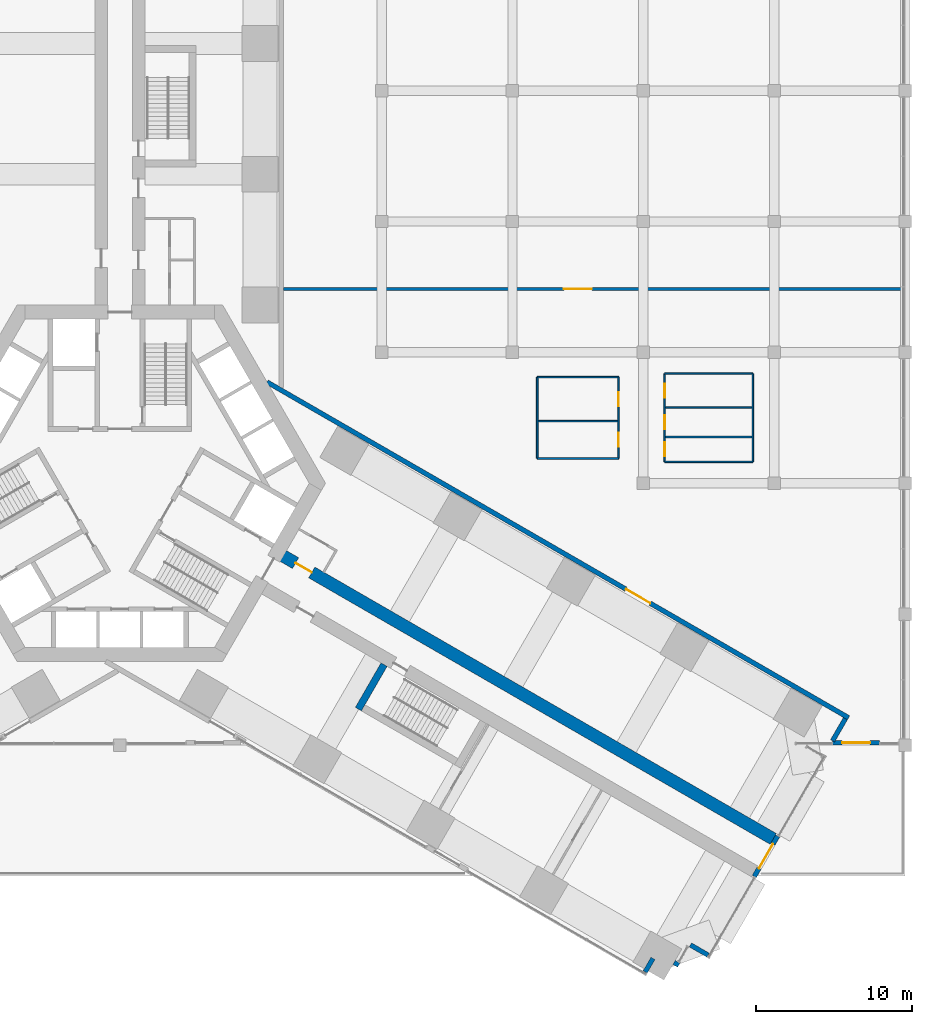
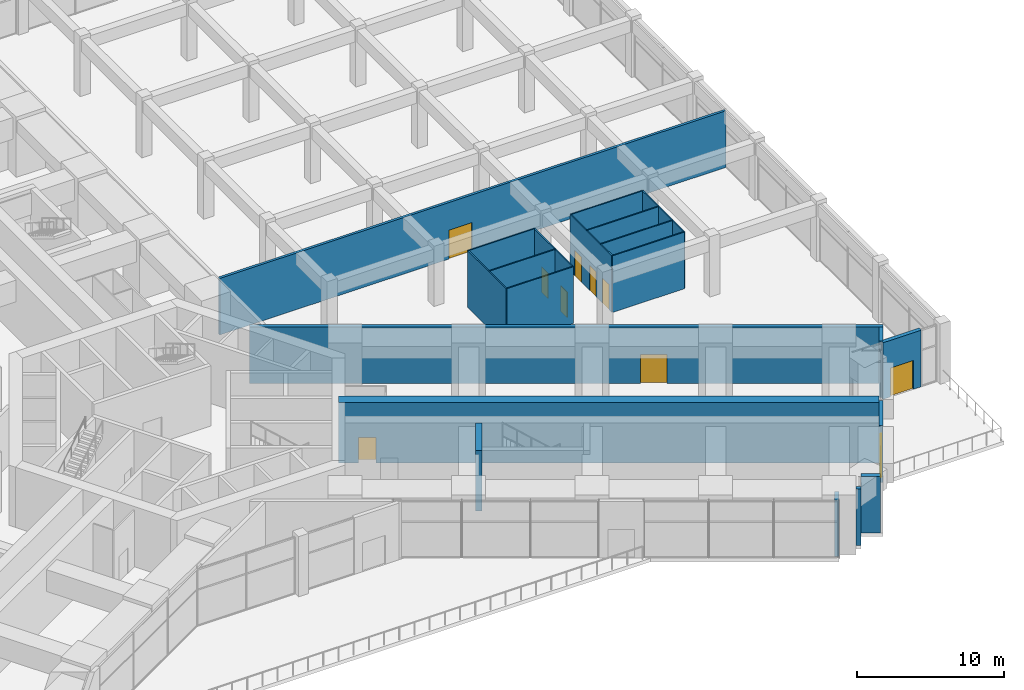
# One storey, part 31 of 34: 21 walls, 10 doors, 10 openings.
"""IFC4 building model written with IfcOpenShell, lengths in metres."""

from ifc_helpers import new_model, si_unit, direction, frame, frame_2d, origin, place, context, subcontext, project, spatial, rectangle, extrude, material, layer, layer_set, type_object, element, fill, save


model = new_model("IFC4")

# Units and contexts
model_context = context("Model", 3, precision=1e-05, world=origin(), true_north=direction((0.0, 1.0)))
body_context = subcontext(model_context, "Body", "Model", "MODEL_VIEW")
ifc_project = project(units=[si_unit("LENGTHUNIT", "METRE"), si_unit("AREAUNIT", "SQUARE_METRE"), si_unit("VOLUMEUNIT", "CUBIC_METRE"), si_unit("PLANEANGLEUNIT", "RADIAN"), si_unit("MASSUNIT", "GRAM", prefix="KILO")], contexts=[model_context])

# Site, building, storey
site_placement = place(None, origin())
site = spatial("IfcSite", under=ifc_project, at=site_placement, CompositionType="ELEMENT")
building_placement = place(site_placement, origin())
building = spatial("IfcBuilding", under=site, at=building_placement, Name="Impinga Residences", CompositionType="ELEMENT")
storey_placement = place(building_placement, frame((0.0, 0.0, 16.0)))
storey = spatial("IfcBuildingStorey", under=building, at=storey_placement, Name="L03", CompositionType="ELEMENT", Elevation=16.0)

# Wall, opening, door
ifc_material_1 = material(Name="Concrete C70/85", Category="concrete")
ifc_layer_1 = layer(ifc_material_1, 0.800048828125)
ifc_layer_set_1 = layer_set([ifc_layer_1], Name="Concrete C70/85")
wall_type_1 = type_object("IfcWallType", Name="BW0 corridor buttress wall, B3 to L04 800", PredefinedType="SHEAR", material=ifc_layer_set_1)
wall_1_placement = place(storey_placement, frame((10.1103515625, -4.451416015625, 0.0), z_axis=(0.0, 0.0, 1.0), x_axis=(0.866025284237, -0.500000207062, 0.0)))
wall_1 = element("IfcWall", 1, at=wall_1_placement, inside=storey, type_object=wall_type_1, Name="Corridor wall BW0 EC L03", PredefinedType="SHEAR", context=body_context, shape_type="SweptSolid", body=[
    extrude(rectangle(XDim=36.75, YDim=0.800048828125, at=frame_2d((18.375, 0.0))), origin(), (0.0, 0.0, 1.0), 5.0),
])
opening_1_placement = place(wall_1_placement, frame((1.35009765625, 0.0, 0.0)))
opening_1 = element("IfcOpeningElement", 2, at=opening_1_placement, cuts=wall_1, Name="Opening D3", PredefinedType="OPENING", context=body_context, shape_type="SweptSolid", body=[
    extrude(rectangle(XDim=1.199951171875, YDim=2.10009765625, at=frame_2d((0.60009765625, 1.050048828125))), frame((0.0, 0.409912109375, 0.0), z_axis=(0.0, -1.0, 0.0), x_axis=(1.0, 0.0, 0.0)), (0.0, 0.0, 1.0), 0.820068359375),
])
ifc_material_2 = material(Name="Timber door set", Category="wood")
door_type_1 = type_object("IfcDoorType", Name="D3 room door, leaf and a half 1200x2100", OperationType="DOUBLE_SWING_LEFT", PredefinedType="DOOR", material=ifc_material_2)
door_1_placement = place(opening_1_placement, origin())
door_1 = element("IfcDoor", 3, at=door_1_placement, inside=storey, type_object=door_type_1, Name="Store lobby door L03-EA1", OperationType="DOUBLE_SWING_LEFT", OverallHeight=2.10009765625, OverallWidth=1.199951171875, PredefinedType="DOOR", context=body_context, shape_type="SweptSolid", body=[
    extrude(rectangle(XDim=1.199951171875, YDim=2.10009765625, at=frame_2d((0.60009765625, 1.050048828125))), frame((0.0, 0.02490234375, 0.0), z_axis=(0.0, -1.0, 0.0), x_axis=(1.0, 0.0, 0.0)), (0.0, 0.0, 1.0), 0.050048828125),
])
fill(opening_1, door_1)

ifc_material_3 = material(Name="Stone facing on blockwork", Category="masonry")
ifc_layer_2 = layer(ifc_material_3, 0.300048828125)
ifc_layer_set_2 = layer_set([ifc_layer_2], Name="EW2 external wall, stone facing on blockwork 300")
wall_type_2 = type_object("IfcWallType", Name="EW2 external wall, stone facing on blockwork 300", PredefinedType="SOLIDWALL", material=ifc_layer_set_2)
wall_2_placement = place(storey_placement, frame((48.749267578125, -16.64990234375, 0.0), z_axis=(0.0, 0.0, 1.0), x_axis=(-1.0, 0.0, 0.0)))
wall_2 = element("IfcWall", 4, at=wall_2_placement, inside=storey, type_object=wall_type_2, Name="External wall EW2 L03", PredefinedType="SOLIDWALL", context=body_context, shape_type="SweptSolid", body=[
    extrude(rectangle(XDim=3.0, YDim=0.300048828125, at=frame_2d((1.5, 0.0))), origin(), (0.0, 0.0, 1.0), 4.699951171875),
])
opening_2_placement = place(wall_2_placement, frame((0.60009765625, 0.0, 0.0)))
opening_2 = element("IfcOpeningElement", 5, at=opening_2_placement, cuts=wall_2, Name="Opening TD2", PredefinedType="OPENING", context=body_context, shape_type="SweptSolid", body=[
    extrude(rectangle(XDim=1.800048828125, YDim=2.39990234375, at=frame_2d((0.89990234375, 1.199951171875))), frame((0.0, 0.159912109375, 0.0), z_axis=(0.0, -1.0, 0.0), x_axis=(1.0, 0.0, 0.0)), (0.0, 0.0, 1.0), 0.320068359375),
])
ifc_material_4 = material(Name="Glazed aluminium door", Category="aluminium")
door_type_2 = type_object("IfcDoorType", Name="TD2 terrace door pair 1800x2400", OperationType="DOUBLE_DOOR_SINGLE_SWING", PredefinedType="DOOR", material=ifc_material_4)
door_2_placement = place(opening_2_placement, origin())
door_2 = element("IfcDoor", 6, at=door_2_placement, inside=storey, type_object=door_type_2, Name="Terrace doors L03", OperationType="DOUBLE_DOOR_SINGLE_SWING", OverallHeight=2.39990234375, OverallWidth=1.800048828125, PredefinedType="DOOR", context=body_context, shape_type="SweptSolid", body=[
    extrude(rectangle(XDim=1.800048828125, YDim=2.39990234375, at=frame_2d((0.89990234375, 1.199951171875))), frame((0.0, 0.02490234375, 0.0), z_axis=(0.0, -1.0, 0.0), x_axis=(1.0, 0.0, 0.0)), (0.0, 0.0, 1.0), 0.050048828125),
])
fill(opening_2, door_2)

wall_3_placement = place(storey_placement, frame((42.216552734375, -22.641845703125, 0.0), z_axis=(0.0, 0.0, 1.0), x_axis=(-0.50002537861, -0.866010750942, 0.0)))
wall_3 = element("IfcWall", 7, at=wall_3_placement, inside=storey, type_object=wall_type_2, Name="External wall EW2 L03", PredefinedType="SOLIDWALL", context=body_context, shape_type="SweptSolid", body=[
    extrude(rectangle(XDim=2.999755859375, YDim=0.300048828125, at=frame_2d((1.5, 0.0))), origin(), (0.0, 0.0, 1.0), 4.699951171875),
])
opening_3_placement = place(wall_3_placement, frame((0.60009765625, 0.0, 0.0)))
opening_3 = element("IfcOpeningElement", 8, at=opening_3_placement, cuts=wall_3, Name="Opening TD2", PredefinedType="OPENING", context=body_context, shape_type="SweptSolid", body=[
    extrude(rectangle(XDim=1.800048828125, YDim=2.39990234375, at=frame_2d((0.89990234375, 1.199951171875))), frame((0.0, 0.159912109375, 0.0), z_axis=(0.0, -1.0, 0.0), x_axis=(1.0, 0.0, 0.0)), (0.0, 0.0, 1.0), 0.320068359375),
])
door_3_placement = place(opening_3_placement, origin())
door_3 = element("IfcDoor", 9, at=door_3_placement, inside=storey, type_object=door_type_2, Name="Terrace doors L03", OperationType="DOUBLE_DOOR_SINGLE_SWING", OverallHeight=2.39990234375, OverallWidth=1.800048828125, PredefinedType="DOOR", context=body_context, shape_type="SweptSolid", body=[
    extrude(rectangle(XDim=1.800048828125, YDim=2.39990234375, at=frame_2d((0.89990234375, 1.199951171875))), frame((0.0, 0.02490234375, 0.0), z_axis=(0.0, -1.0, 0.0), x_axis=(1.0, 0.0, 0.0)), (0.0, 0.0, 1.0), 0.050048828125),
])
fill(opening_3, door_3)

# Walls
wall_4_placement = place(storey_placement, frame((37.752685546875, -30.283447265625, 0.0), z_axis=(0.0, 0.0, 1.0), x_axis=(-0.866101796549, 0.4998676605, 0.0)))
element("IfcWall", 10, at=wall_4_placement, inside=storey, type_object=wall_type_2, Name="External wall EW2 L03", PredefinedType="SOLIDWALL", context=body_context, shape_type="SweptSolid", body=[
    extrude(rectangle(XDim=1.309814453125, YDim=0.300048828125, at=frame_2d((0.65478515625, 0.0))), origin(), (0.0, 0.0, 1.0), 4.699951171875),
])
wall_5_placement = place(storey_placement, frame((35.87255859375, -30.93017578125, 0.0), z_axis=(0.0, 0.0, 1.0), x_axis=(-0.865939549016, 0.500148675346, 0.0)))
element("IfcWall", 11, at=wall_5_placement, inside=storey, type_object=wall_type_2, Name="External wall EW2 L03", PredefinedType="SOLIDWALL", context=body_context, shape_type="SweptSolid", body=[
    extrude(rectangle(XDim=0.34716796875, YDim=0.300048828125, at=frame_2d((0.173583984375, 0.0))), origin(), (0.0, 0.0, 1.0), 4.699951171875),
])
wall_6_placement = place(storey_placement, frame((34.218505859375, -30.494873046875, 0.0), z_axis=(0.0, 0.0, 1.0), x_axis=(-0.499953773667, -0.866052090925, 0.0)))
element("IfcWall", 12, at=wall_6_placement, inside=storey, type_object=wall_type_2, Name="External wall EW2 L03", PredefinedType="SOLIDWALL", context=body_context, shape_type="SweptSolid", body=[
    extrude(rectangle(XDim=1.0048828125, YDim=0.300048828125, at=frame_2d((0.50244140625, 0.0))), origin(), (0.0, 0.0, 1.0), 4.699951171875),
])
ifc_material_5 = material(Name="Gypsum board on steel studs", Category="steel")
ifc_layer_3 = layer(ifc_material_5, 0.10009765625)
ifc_layer_set_3 = layer_set([ifc_layer_3], Name="Gypsum board on steel studs")
wall_type_3 = type_object("IfcWallType", Name="IP1 partition 100", PredefinedType="PARTITIONING", material=ifc_layer_set_3)
for number, where, z_axis, x_axis, name in (
    (13, (34.969970703125, 1.3701171875, 0.0), (0.0, 0.0, 1.0), (1.0, 0.0, 0.0), "Partition L03:REG:NE:BLKS"),
    (14, (40.6298828125, 1.3701171875, 0.0), (0.0, 0.0, 1.0), (0.0, 1.0, 0.0), "Partition L03:REG:NE:BLKE"),
    (15, (40.6298828125, 7.030029296875, 0.0), (0.0, 0.0, 1.0), (-1.0, 0.0, 0.0), "Partition L03:REG:NE:BLKN"),
):
    element("IfcWall", number, at=place(storey_placement, frame(where, z_axis=z_axis, x_axis=x_axis)), inside=storey, type_object=wall_type_3, Name=name, PredefinedType="PARTITIONING", context=body_context, shape_type="SweptSolid", body=[
        extrude(rectangle(XDim=5.659912109375, YDim=0.10009765625, at=frame_2d((2.830078125, 0.0))), origin(), (0.0, 0.0, 1.0), 4.699951171875),
    ])

# Wall, openings, doors
wall_7_placement = place(storey_placement, frame((34.969970703125, 7.030029296875, 0.0), z_axis=(0.0, 0.0, 1.0), x_axis=(0.0, -1.0, 0.0)))
wall_7 = element("IfcWall", 16, at=wall_7_placement, inside=storey, type_object=wall_type_3, Name="Partition L03:REG:NE:BLKW", PredefinedType="PARTITIONING", context=body_context, shape_type="SweptSolid", body=[
    extrude(rectangle(XDim=5.659912109375, YDim=0.10009765625, at=frame_2d((2.830078125, 0.0))), origin(), (0.0, 0.0, 1.0), 4.699951171875),
])
opening_4_placement = place(wall_7_placement, frame((4.41064453125, 0.0, 0.0)))
opening_4 = element("IfcOpeningElement", 17, at=opening_4_placement, cuts=wall_7, Name="Opening D2", PredefinedType="OPENING", context=body_context, shape_type="SweptSolid", body=[
    extrude(rectangle(XDim=0.89990234375, YDim=2.10009765625, at=frame_2d((0.449951171875, 1.050048828125))), frame((0.0, 0.06005859375, 0.0), z_axis=(0.0, -1.0, 0.0), x_axis=(1.0, 0.0, 0.0)), (0.0, 0.0, 1.0), 0.1201171875),
])
opening_5_placement = place(wall_7_placement, frame((2.667724609375, 0.0, 0.0)))
opening_5 = element("IfcOpeningElement", 18, at=opening_5_placement, cuts=wall_7, Name="Opening D2", PredefinedType="OPENING", context=body_context, shape_type="SweptSolid", body=[
    extrude(rectangle(XDim=0.89990234375, YDim=2.10009765625, at=frame_2d((0.449951171875, 1.050048828125))), frame((0.0, 0.06005859375, 0.0), z_axis=(0.0, -1.0, 0.0), x_axis=(1.0, 0.0, 0.0)), (0.0, 0.0, 1.0), 0.1201171875),
])
opening_6_placement = place(wall_7_placement, frame((0.63720703125, 0.0, 0.0)))
opening_6 = element("IfcOpeningElement", 19, at=opening_6_placement, cuts=wall_7, Name="Opening D2", PredefinedType="OPENING", context=body_context, shape_type="SweptSolid", body=[
    extrude(rectangle(XDim=0.89990234375, YDim=2.10009765625, at=frame_2d((0.449951171875, 1.050048828125))), frame((0.0, 0.06005859375, 0.0), z_axis=(0.0, -1.0, 0.0), x_axis=(1.0, 0.0, 0.0)), (0.0, 0.0, 1.0), 0.1201171875),
])
door_type_3 = type_object("IfcDoorType", Name="D2 internal door 900x2100", OperationType="SINGLE_SWING_LEFT", PredefinedType="DOOR", material=ifc_material_2)
door_4_placement = place(opening_4_placement, origin())
door_4 = element("IfcDoor", 20, at=door_4_placement, inside=storey, type_object=door_type_3, Name="Chair and table store door", OperationType="SINGLE_SWING_RIGHT", OverallHeight=2.10009765625, OverallWidth=0.89990234375, PredefinedType="DOOR", context=body_context, shape_type="SweptSolid", body=[
    extrude(rectangle(XDim=0.89990234375, YDim=2.10009765625, at=frame_2d((0.449951171875, 1.050048828125))), frame((0.0, 0.02490234375, 0.0), z_axis=(0.0, -1.0, 0.0), x_axis=(1.0, 0.0, 0.0)), (0.0, 0.0, 1.0), 0.050048828125),
])
fill(opening_4, door_4)
door_5_placement = place(opening_5_placement, origin())
door_5 = element("IfcDoor", 21, at=door_5_placement, inside=storey, type_object=door_type_3, Name="Servery door", OperationType="SINGLE_SWING_RIGHT", OverallHeight=2.10009765625, OverallWidth=0.89990234375, PredefinedType="DOOR", context=body_context, shape_type="SweptSolid", body=[
    extrude(rectangle(XDim=0.89990234375, YDim=2.10009765625, at=frame_2d((0.449951171875, 1.050048828125))), frame((0.0, 0.02490234375, 0.0), z_axis=(0.0, -1.0, 0.0), x_axis=(1.0, 0.0, 0.0)), (0.0, 0.0, 1.0), 0.050048828125),
])
fill(opening_5, door_5)
door_6_placement = place(opening_6_placement, origin())
door_6 = element("IfcDoor", 22, at=door_6_placement, inside=storey, type_object=door_type_3, Name="Cloakroom door", OperationType="SINGLE_SWING_LEFT", OverallHeight=2.10009765625, OverallWidth=0.89990234375, PredefinedType="DOOR", context=body_context, shape_type="SweptSolid", body=[
    extrude(rectangle(XDim=0.89990234375, YDim=2.10009765625, at=frame_2d((0.449951171875, 1.050048828125))), frame((0.0, 0.02490234375, 0.0), z_axis=(0.0, -1.0, 0.0), x_axis=(1.0, 0.0, 0.0)), (0.0, 0.0, 1.0), 0.050048828125),
])
fill(opening_6, door_6)

# Walls
for number, where, z_axis, x_axis, name in (
    (23, (34.969970703125, 2.96875, 0.0), (0.0, 0.0, 1.0), (1.0, 0.0, 0.0), "Partition L03:REG:NE:BLKP1"),
    (24, (34.969970703125, 4.85546875, 0.0), (0.0, 0.0, 1.0), (1.0, 0.0, 0.0), "Partition L03:REG:NE:BLKP2"),
):
    element("IfcWall", number, at=place(storey_placement, frame(where, z_axis=z_axis, x_axis=x_axis)), inside=storey, type_object=wall_type_3, Name=name, PredefinedType="PARTITIONING", context=body_context, shape_type="SweptSolid", body=[
        extrude(rectangle(XDim=5.659912109375, YDim=0.10009765625, at=frame_2d((2.830078125, 0.0))), origin(), (0.0, 0.0, 1.0), 4.699951171875),
    ])
wall_8_placement = place(storey_placement, frame((26.7900390625, 1.590087890625, 0.0), z_axis=(0.0, 0.0, 1.0), x_axis=(1.0, 0.0, 0.0)))
element("IfcWall", 25, at=wall_8_placement, inside=storey, type_object=wall_type_3, Name="Partition L03:REG:NE:B2:BLKS", PredefinedType="PARTITIONING", context=body_context, shape_type="SweptSolid", body=[
    extrude(rectangle(XDim=5.219970703125, YDim=0.10009765625, at=frame_2d((2.60986328125, 0.0))), origin(), (0.0, 0.0, 1.0), 4.699951171875),
])

# Wall, openings, doors
wall_9_placement = place(storey_placement, frame((32.010009765625, 1.590087890625, 0.0), z_axis=(0.0, 0.0, 1.0), x_axis=(0.0, 1.0, 0.0)))
wall_9 = element("IfcWall", 26, at=wall_9_placement, inside=storey, type_object=wall_type_3, Name="Partition L03:REG:NE:B2:BLKE", PredefinedType="PARTITIONING", context=body_context, shape_type="SweptSolid", body=[
    extrude(rectangle(XDim=5.219970703125, YDim=0.10009765625, at=frame_2d((2.60986328125, 0.0))), origin(), (0.0, 0.0, 1.0), 4.699951171875),
])
opening_7_placement = place(wall_9_placement, frame((0.747314453125, 0.0, 0.0)))
opening_7 = element("IfcOpeningElement", 27, at=opening_7_placement, cuts=wall_9, Name="Opening D2", PredefinedType="OPENING", context=body_context, shape_type="SweptSolid", body=[
    extrude(rectangle(XDim=0.89990234375, YDim=2.10009765625, at=frame_2d((0.449951171875, 1.050048828125))), frame((0.0, 0.06005859375, 0.0), z_axis=(0.0, -1.0, 0.0), x_axis=(1.0, 0.0, 0.0)), (0.0, 0.0, 1.0), 0.1201171875),
])
opening_8_placement = place(wall_9_placement, frame((3.357177734375, 0.0, 0.0)))
opening_8 = element("IfcOpeningElement", 28, at=opening_8_placement, cuts=wall_9, Name="Opening D2", PredefinedType="OPENING", context=body_context, shape_type="SweptSolid", body=[
    extrude(rectangle(XDim=0.89990234375, YDim=2.10009765625, at=frame_2d((0.449951171875, 1.050048828125))), frame((0.0, 0.06005859375, 0.0), z_axis=(0.0, -1.0, 0.0), x_axis=(1.0, 0.0, 0.0)), (0.0, 0.0, 1.0), 0.1201171875),
])
door_7_placement = place(opening_7_placement, origin())
door_7 = element("IfcDoor", 29, at=door_7_placement, inside=storey, type_object=door_type_3, Name="Beverage store door", OperationType="SINGLE_SWING_LEFT", OverallHeight=2.10009765625, OverallWidth=0.89990234375, PredefinedType="DOOR", context=body_context, shape_type="SweptSolid", body=[
    extrude(rectangle(XDim=0.89990234375, YDim=2.10009765625, at=frame_2d((0.449951171875, 1.050048828125))), frame((0.0, 0.02490234375, 0.0), z_axis=(0.0, -1.0, 0.0), x_axis=(1.0, 0.0, 0.0)), (0.0, 0.0, 1.0), 0.050048828125),
])
fill(opening_7, door_7)
door_8_placement = place(opening_8_placement, origin())
door_8 = element("IfcDoor", 30, at=door_8_placement, inside=storey, type_object=door_type_3, Name="Function store door", OperationType="SINGLE_SWING_RIGHT", OverallHeight=2.10009765625, OverallWidth=0.89990234375, PredefinedType="DOOR", context=body_context, shape_type="SweptSolid", body=[
    extrude(rectangle(XDim=0.89990234375, YDim=2.10009765625, at=frame_2d((0.449951171875, 1.050048828125))), frame((0.0, 0.02490234375, 0.0), z_axis=(0.0, -1.0, 0.0), x_axis=(1.0, 0.0, 0.0)), (0.0, 0.0, 1.0), 0.050048828125),
])
fill(opening_8, door_8)

# Walls
for number, where, z_axis, x_axis, name in (
    (31, (32.010009765625, 6.81005859375, 0.0), (0.0, 0.0, 1.0), (-1.0, 0.0, 0.0), "Partition L03:REG:NE:B2:BLKN"),
    (32, (26.7900390625, 6.81005859375, 0.0), (0.0, 0.0, 1.0), (0.0, -1.0, 0.0), "Partition L03:REG:NE:B2:BLKW"),
    (33, (26.7900390625, 3.984375, 0.0), (0.0, 0.0, 1.0), (1.0, 0.0, 0.0), "Partition L03:REG:NE:B2:BLKP1"),
):
    element("IfcWall", number, at=place(storey_placement, frame(where, z_axis=z_axis, x_axis=x_axis)), inside=storey, type_object=wall_type_3, Name=name, PredefinedType="PARTITIONING", context=body_context, shape_type="SweptSolid", body=[
        extrude(rectangle(XDim=5.219970703125, YDim=0.10009765625, at=frame_2d((2.60986328125, 0.0))), origin(), (0.0, 0.0, 1.0), 4.699951171875),
    ])

# Wall, opening, door
ifc_material_6 = material(Name="Concrete blockwork", Category="masonry")
ifc_layer_4 = layer(ifc_material_6, 0.199951171875)
ifc_layer_set_4 = layer_set([ifc_layer_4], Name="PW2 podium compartment wall 200")
wall_type_4 = type_object("IfcWallType", Name="PW2 podium compartment wall 200", PredefinedType="SOLIDWALL", material=ifc_layer_set_4)
wall_10_placement = place(storey_placement, frame((10.5, 12.468994140625, 0.0), z_axis=(0.0, 0.0, 1.0), x_axis=(1.0, 0.0, 0.0)))
wall_10 = element("IfcWall", 34, at=wall_10_placement, inside=storey, type_object=wall_type_4, Name="Podium compartment wall L03:REG:NE:SPLIT", PredefinedType="SOLIDWALL", context=body_context, shape_type="SweptSolid", body=[
    extrude(rectangle(XDim=39.737060546875, YDim=0.199951171875, at=frame_2d((19.86865234375, 0.0))), origin(), (0.0, 0.0, 1.0), 4.699951171875),
])
opening_9_placement = place(wall_10_placement, frame((18.0, 0.0, 0.0)))
opening_9 = element("IfcOpeningElement", 35, at=opening_9_placement, cuts=wall_10, Name="Opening D7", PredefinedType="OPENING", context=body_context, shape_type="SweptSolid", body=[
    extrude(rectangle(XDim=1.800048828125, YDim=2.39990234375, at=frame_2d((0.89990234375, 1.199951171875))), frame((0.0, 0.10986328125, 0.0), z_axis=(0.0, -1.0, 0.0), x_axis=(1.0, 0.0, 0.0)), (0.0, 0.0, 1.0), 0.219970703125),
])
door_type_4 = type_object("IfcDoorType", Name="D7 podium door pair 1800x2400", OperationType="DOUBLE_DOOR_DOUBLE_SWING", PredefinedType="DOOR", material=ifc_material_2)
door_9_placement = place(opening_9_placement, origin())
door_9 = element("IfcDoor", 36, at=door_9_placement, inside=storey, type_object=door_type_4, Name="Double door Residents' lounge", OperationType="DOUBLE_DOOR_DOUBLE_SWING", OverallHeight=2.39990234375, OverallWidth=1.800048828125, PredefinedType="DOOR", context=body_context, shape_type="SweptSolid", body=[
    extrude(rectangle(XDim=1.800048828125, YDim=2.39990234375, at=frame_2d((0.89990234375, 1.199951171875))), frame((0.0, 0.02490234375, 0.0), z_axis=(0.0, -1.0, 0.0), x_axis=(1.0, 0.0, 0.0)), (0.0, 0.0, 1.0), 0.050048828125),
])
fill(opening_9, door_9)

# Wall
ifc_layer_5 = layer(ifc_material_6, 0.300048828125)
ifc_layer_set_5 = layer_set([ifc_layer_5], Name="PW3 podium wall on the wing face 300")
wall_type_5 = type_object("IfcWallType", Name="PW3 podium wall on the wing face 300", PredefinedType="SOLIDWALL", material=ifc_layer_set_5)
wall_11_placement = place(storey_placement, frame((45.744140625, -16.531982421875, 0.0), z_axis=(0.0, 0.0, 1.0), x_axis=(0.50001794124, 0.866015045157, 0.0)))
element("IfcWall", 37, at=wall_11_placement, inside=storey, type_object=wall_type_5, Name="Podium wall on the wing face L03:END:EA", PredefinedType="SOLIDWALL", context=body_context, shape_type="SweptSolid", body=[
    extrude(rectangle(XDim=1.64501953125, YDim=0.300048828125, at=frame_2d((0.822509765625, 0.0))), origin(), (0.0, 0.0, 1.0), 4.699951171875),
])

# Wall, opening, door
wall_12_placement = place(storey_placement, frame((9.449951171875, 6.4951171875, 0.0), z_axis=(0.0, 0.0, 1.0), x_axis=(0.866025301493, -0.500000177174, 0.0)))
wall_12 = element("IfcWall", 38, at=wall_12_placement, inside=storey, type_object=wall_type_5, Name="Podium wall on the wing face L03:SIDE:EA0", PredefinedType="SOLIDWALL", context=body_context, shape_type="SweptSolid", body=[
    extrude(rectangle(XDim=43.09521484375, YDim=0.300048828125, at=frame_2d((21.547607421875, 0.0))), origin(), (0.0, 0.0, 1.0), 4.699951171875),
])
opening_10_placement = place(wall_12_placement, frame((26.59521484375, 0.0, 0.0)))
opening_10 = element("IfcOpeningElement", 39, at=opening_10_placement, cuts=wall_12, Name="Opening D7", PredefinedType="OPENING", context=body_context, shape_type="SweptSolid", body=[
    extrude(rectangle(XDim=1.800048828125, YDim=2.39990234375, at=frame_2d((0.89990234375, 1.199951171875))), frame((0.0, 0.159912109375, 0.0), z_axis=(0.0, -1.0, 0.0), x_axis=(1.0, 0.0, 0.0)), (0.0, 0.0, 1.0), 0.320068359375),
])
door_10_placement = place(opening_10_placement, origin())
door_10 = element("IfcDoor", 40, at=door_10_placement, inside=storey, type_object=door_type_4, Name="Double door EA", OperationType="DOUBLE_DOOR_DOUBLE_SWING", OverallHeight=2.39990234375, OverallWidth=1.800048828125, PredefinedType="DOOR", context=body_context, shape_type="SweptSolid", body=[
    extrude(rectangle(XDim=1.800048828125, YDim=2.39990234375, at=frame_2d((0.89990234375, 1.199951171875))), frame((0.0, 0.02490234375, 0.0), z_axis=(0.0, -1.0, 0.0), x_axis=(1.0, 0.0, 0.0)), (0.0, 0.0, 1.0), 0.050048828125),
])
fill(opening_10, door_10)

# Wall
ifc_material_7 = material(Name="Concrete C60/75", Category="concrete")
ifc_layer_6 = layer(ifc_material_7, 0.449951171875)
ifc_layer_set_6 = layer_set([ifc_layer_6], Name="Concrete C60/75")
wall_type_6 = type_object("IfcWallType", Name="SE2 wing stair enclosure wall, ground and podium storeys 450", PredefinedType="SOLIDWALL", material=ifc_layer_set_6)
wall_13_placement = place(storey_placement, frame((16.959228515625, -11.638916015625, 0.0), z_axis=(0.0, 0.0, 1.0), x_axis=(-0.50002983664, -0.866008176907, 0.0)))
element("IfcWall", 41, at=wall_13_placement, inside=storey, type_object=wall_type_6, Name="Stair enclosure wall SE2 E END0 L03", PredefinedType="SOLIDWALL", context=body_context, shape_type="SweptSolid", body=[
    extrude(rectangle(XDim=3.300048828125, YDim=0.449951171875, at=frame_2d((1.64990234375, 0.0))), origin(), (0.0, 0.0, 1.0), 5.0),
])

save(model, "model.ifc")
